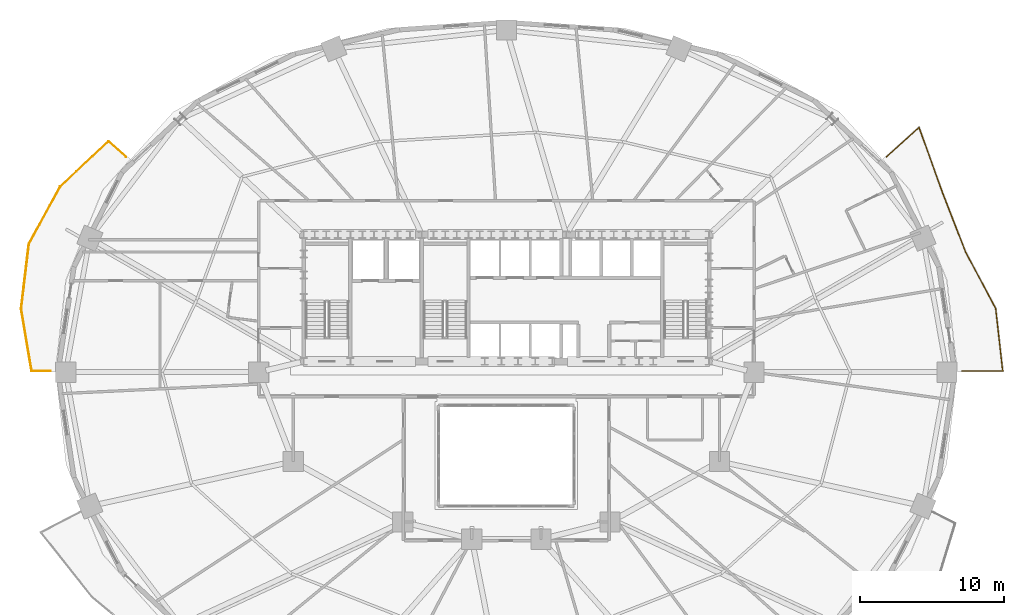
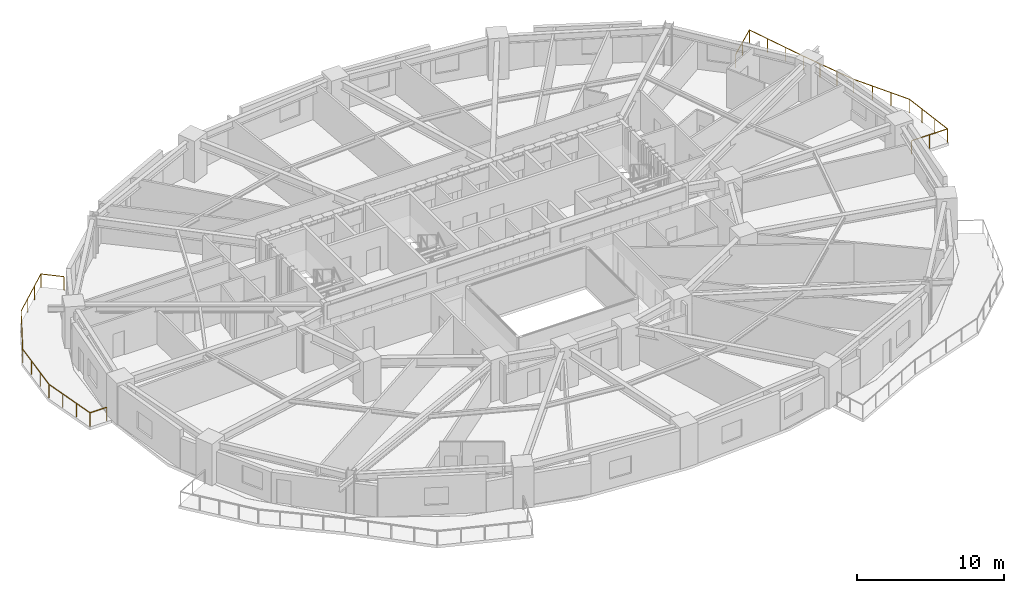
# One storey, part 17 of 17: 2 railings.
"""IFC4 building model written with IfcOpenShell, lengths in metres."""

from ifc_helpers import new_model, si_unit, direction, frame, origin, origin_2d, place, context, subcontext, project, spatial, rectangle, extrude, material, type_object, element, save


model = new_model("IFC4")

# Units and contexts
model_context = context("Model", 3, precision=1e-05, world=origin(), true_north=direction((0.0, 1.0)))
body_context = subcontext(model_context, "Body", "Model", "MODEL_VIEW")
ifc_project = project(units=[si_unit("LENGTHUNIT", "METRE"), si_unit("AREAUNIT", "SQUARE_METRE"), si_unit("VOLUMEUNIT", "CUBIC_METRE"), si_unit("PLANEANGLEUNIT", "RADIAN"), si_unit("MASSUNIT", "GRAM", prefix="KILO")], contexts=[model_context])

# Site, building, storey
site_placement = place(None, origin())
site = spatial("IfcSite", under=ifc_project, at=site_placement, CompositionType="ELEMENT")
building_placement = place(site_placement, origin())
building = spatial("IfcBuilding", under=site, at=building_placement, Name="Haldorwick Loom Tower", CompositionType="ELEMENT")
storey_placement = place(building_placement, frame((0.0, 0.0, 61.949951171875)))
storey = spatial("IfcBuildingStorey", under=building, at=storey_placement, Name="L16", CompositionType="ELEMENT", Elevation=61.949951171875)

# Railings
ifc_material = material(Name="Galvanized Steel CSA G40.21 350W", Category="steel")
railing_type = type_object("IfcRailingType", Name="ARC-RLG-BAL115", PredefinedType="BALUSTRADE", material=ifc_material)
railing_1_placement = place(storey_placement, frame((4.36083984375, 26.080078125, 0.0)))
element("IfcRailing", 1, at=railing_1_placement, inside=storey, type_object=railing_type, Name="L16 Outdoor Terrace Guardrail SLB-L16-BAL_WNW-1", PredefinedType="BALUSTRADE", context=body_context, shape_type="SweptSolid", body=[
    extrude(rectangle(XDim=0.048095703125, YDim=0.048095703125, at=origin_2d()), frame((0.0, 0.0, 1.1259765625), z_axis=(-1.0, 0.0, 0.0), x_axis=(0.0, -1.0, 0.0)), (0.0, 0.0, 1.0), 1.315673828125),
    extrude(rectangle(XDim=0.048095703125, YDim=0.048095703125, at=origin_2d()), frame((-1.315673828125, 0.0, 1.1259765625), z_axis=(-0.167012646777, 0.985954753433, 0.0), x_axis=(-0.985954753433, -0.167012646777, 0.0)), (0.0, 0.0, 1.0), 4.376708984375),
    extrude(rectangle(XDim=0.048095703125, YDim=0.048095703125, at=origin_2d()), frame((-2.046630859375, 4.315185546875, 1.1259765625), z_axis=(0.118178746417, 0.992992338286, 0.0), x_axis=(-0.992992338286, 0.118178746417, 0.0)), (0.0, 0.0, 1.0), 4.532470703125),
    extrude(rectangle(XDim=0.048095703125, YDim=0.048095703125, at=origin_2d()), frame((-1.510986328125, 8.81591796875, 1.1259765625), z_axis=(0.478746977459, 0.877952921046, 0.0), x_axis=(-0.877952921046, 0.478746977459, 0.0)), (0.0, 0.0, 1.0), 4.554931640625),
    extrude(rectangle(XDim=0.048095703125, YDim=0.048095703125, at=origin_2d()), frame((0.669677734375, 12.81494140625, 1.1259765625), z_axis=(0.731566348196, 0.681770253228, 0.0), x_axis=(-0.681770253228, 0.731566348196, 0.0)), (0.0, 0.0, 1.0), 4.589111328125),
    extrude(rectangle(XDim=0.048095703125, YDim=0.048095703125, at=origin_2d()), frame((4.02685546875, 15.943603515625, 1.1259765625), z_axis=(0.748217378369, -0.663453656789, 0.0), x_axis=(0.663453656789, 0.748217378369, 0.0)), (0.0, 0.0, 1.0), 1.61572265625),
    extrude(rectangle(XDim=0.0419921875, YDim=0.0419921875, at=origin_2d()), origin(), (0.0, 0.0, 1.0), 1.101806640625),
    extrude(rectangle(XDim=0.0419921875, YDim=0.0419921875, at=origin_2d()), frame((-1.315673828125, 0.0, 0.0)), (0.0, 0.0, 1.0), 1.101806640625),
    extrude(rectangle(XDim=0.0419921875, YDim=0.0419921875, at=origin_2d()), frame((-1.559326171875, 1.4384765625, 0.0)), (0.0, 0.0, 1.0), 1.101806640625),
    extrude(rectangle(XDim=0.0419921875, YDim=0.0419921875, at=origin_2d()), frame((-1.802978515625, 2.876708984375, 0.0)), (0.0, 0.0, 1.0), 1.101806640625),
    extrude(rectangle(XDim=0.0419921875, YDim=0.0419921875, at=origin_2d()), frame((-2.046630859375, 4.315185546875, 0.0)), (0.0, 0.0, 1.0), 1.101806640625),
    extrude(rectangle(XDim=0.0419921875, YDim=0.0419921875, at=origin_2d()), frame((-1.8681640625, 5.8154296875, 0.0)), (0.0, 0.0, 1.0), 1.101806640625),
    extrude(rectangle(XDim=0.0419921875, YDim=0.0419921875, at=origin_2d()), frame((-1.689453125, 7.315673828125, 0.0)), (0.0, 0.0, 1.0), 1.101806640625),
    extrude(rectangle(XDim=0.0419921875, YDim=0.0419921875, at=origin_2d()), frame((-1.510986328125, 8.81591796875, 0.0)), (0.0, 0.0, 1.0), 1.101806640625),
    extrude(rectangle(XDim=0.0419921875, YDim=0.0419921875, at=origin_2d()), frame((-0.7841796875, 10.14892578125, 0.0)), (0.0, 0.0, 1.0), 1.101806640625),
    extrude(rectangle(XDim=0.0419921875, YDim=0.0419921875, at=origin_2d()), frame((-0.05712890625, 11.48193359375, 0.0)), (0.0, 0.0, 1.0), 1.101806640625),
    extrude(rectangle(XDim=0.0419921875, YDim=0.0419921875, at=origin_2d()), frame((0.669677734375, 12.81494140625, 0.0)), (0.0, 0.0, 1.0), 1.101806640625),
    extrude(rectangle(XDim=0.0419921875, YDim=0.0419921875, at=origin_2d()), frame((1.788818359375, 13.85791015625, 0.0)), (0.0, 0.0, 1.0), 1.101806640625),
    extrude(rectangle(XDim=0.0419921875, YDim=0.0419921875, at=origin_2d()), frame((2.90771484375, 14.900634765625, 0.0)), (0.0, 0.0, 1.0), 1.101806640625),
    extrude(rectangle(XDim=0.0419921875, YDim=0.0419921875, at=origin_2d()), frame((4.02685546875, 15.943603515625, 0.0)), (0.0, 0.0, 1.0), 1.101806640625),
    extrude(rectangle(XDim=0.0419921875, YDim=0.0419921875, at=origin_2d()), frame((5.23583984375, 14.87158203125, 0.0)), (0.0, 0.0, 1.0), 1.101806640625),
])
railing_2_placement = place(storey_placement, frame((62.400390625, 40.954833984375, 0.0)))
element("IfcRailing", 2, at=railing_2_placement, inside=storey, type_object=railing_type, Name="L16 Outdoor Terrace Guardrail SLB-L16-BAL_ENE-1", PredefinedType="BALUSTRADE", context=body_context, shape_type="SweptSolid", body=[
    extrude(rectangle(XDim=0.048095703125, YDim=0.048095703125, at=origin_2d()), frame((0.0, 0.0, 1.1259765625), z_axis=(0.74176658268, 0.670658137071, 0.0), x_axis=(-0.670658137071, 0.74176658268, 0.0)), (0.0, 0.0, 1.0), 3.03173828125),
    extrude(rectangle(XDim=0.048095703125, YDim=0.048095703125, at=origin_2d()), frame((2.248779296875, 2.033203125, 1.1259765625), z_axis=(0.337840495156, -0.941203378571, 0.0), x_axis=(0.941203378571, 0.337840495156, 0.0)), (0.0, 0.0, 1.0), 4.800537109375),
    extrude(rectangle(XDim=0.048095703125, YDim=0.048095703125, at=origin_2d()), frame((3.87060546875, -2.485107421875, 1.1259765625), z_axis=(0.351123441588, -0.936329177569, 0.0), x_axis=(0.936329177569, 0.351123441588, 0.0)), (0.0, 0.0, 1.0), 0.002197265625),
    extrude(rectangle(XDim=0.048095703125, YDim=0.048095703125, at=origin_2d()), frame((3.871337890625, -2.487060546875, 1.1259765625), z_axis=(0.36271610955, -0.93189968552, 0.0), x_axis=(0.93189968552, 0.36271610955, 0.0)), (0.0, 0.0, 1.0), 4.409423828125),
    extrude(rectangle(XDim=0.048095703125, YDim=0.048095703125, at=origin_2d()), frame((5.470703125, -6.59619140625, 1.1259765625), z_axis=(0.415759760268, -0.909474475586, 0.0), x_axis=(0.909474475586, 0.415759760268, 0.0)), (0.0, 0.0, 1.0), 0.00927734375),
    extrude(rectangle(XDim=0.048095703125, YDim=0.048095703125, at=origin_2d()), frame((5.474609375, -6.604736328125, 1.1259765625), z_axis=(0.470166455798, -0.882577760791, 0.0), x_axis=(0.882577760791, 0.470166455798, 0.0)), (0.0, 0.0, 1.0), 4.447021484375),
    extrude(rectangle(XDim=0.048095703125, YDim=0.048095703125, at=origin_2d()), frame((7.5654296875, -10.529541015625, 1.1259765625), z_axis=(0.112220668286, -0.993683310522, 0.0), x_axis=(0.993683310522, 0.112220668286, 0.0)), (0.0, 0.0, 1.0), 4.372802734375),
    extrude(rectangle(XDim=0.048095703125, YDim=0.048095703125, at=origin_2d()), frame((8.05615234375, -14.874755859375, 1.1259765625), z_axis=(-1.0, 0.0, 0.0), x_axis=(0.0, -1.0, 0.0)), (0.0, 0.0, 1.0), 2.8173828125),
    extrude(rectangle(XDim=0.0419921875, YDim=0.0419921875, at=origin_2d()), origin(), (0.0, 0.0, 1.0), 1.101806640625),
    extrude(rectangle(XDim=0.0419921875, YDim=0.0419921875, at=origin_2d()), frame((1.12451171875, 1.0166015625, 0.0)), (0.0, 0.0, 1.0), 1.101806640625),
    extrude(rectangle(XDim=0.0419921875, YDim=0.0419921875, at=origin_2d()), frame((2.248779296875, 2.033203125, 0.0)), (0.0, 0.0, 1.0), 1.101806640625),
    extrude(rectangle(XDim=0.0419921875, YDim=0.0419921875, at=origin_2d()), frame((2.789306640625, 0.527099609375, 0.0)), (0.0, 0.0, 1.0), 1.101806640625),
    extrude(rectangle(XDim=0.0419921875, YDim=0.0419921875, at=origin_2d()), frame((3.330078125, -0.97900390625, 0.0)), (0.0, 0.0, 1.0), 1.101806640625),
    extrude(rectangle(XDim=0.0419921875, YDim=0.0419921875, at=origin_2d()), frame((3.87060546875, -2.485107421875, 0.0)), (0.0, 0.0, 1.0), 1.101806640625),
    extrude(rectangle(XDim=0.0419921875, YDim=0.0419921875, at=origin_2d()), frame((4.404541015625, -3.856689453125, 0.0)), (0.0, 0.0, 1.0), 1.101806640625),
    extrude(rectangle(XDim=0.0419921875, YDim=0.0419921875, at=origin_2d()), frame((4.9375, -5.2265625, 0.0)), (0.0, 0.0, 1.0), 1.101806640625),
    extrude(rectangle(XDim=0.0419921875, YDim=0.0419921875, at=origin_2d()), frame((5.470703125, -6.59619140625, 0.0)), (0.0, 0.0, 1.0), 1.101806640625),
    extrude(rectangle(XDim=0.0419921875, YDim=0.0419921875, at=origin_2d()), frame((6.171630859375, -7.9130859375, 0.0)), (0.0, 0.0, 1.0), 1.101806640625),
    extrude(rectangle(XDim=0.0419921875, YDim=0.0419921875, at=origin_2d()), frame((6.868408203125, -9.22119140625, 0.0)), (0.0, 0.0, 1.0), 1.101806640625),
    extrude(rectangle(XDim=0.0419921875, YDim=0.0419921875, at=origin_2d()), frame((7.5654296875, -10.529541015625, 0.0)), (0.0, 0.0, 1.0), 1.101806640625),
    extrude(rectangle(XDim=0.0419921875, YDim=0.0419921875, at=origin_2d()), frame((7.72900390625, -11.97802734375, 0.0)), (0.0, 0.0, 1.0), 1.101806640625),
    extrude(rectangle(XDim=0.0419921875, YDim=0.0419921875, at=origin_2d()), frame((7.892578125, -13.42626953125, 0.0)), (0.0, 0.0, 1.0), 1.101806640625),
    extrude(rectangle(XDim=0.0419921875, YDim=0.0419921875, at=origin_2d()), frame((8.05615234375, -14.874755859375, 0.0)), (0.0, 0.0, 1.0), 1.101806640625),
    extrude(rectangle(XDim=0.0419921875, YDim=0.0419921875, at=origin_2d()), frame((6.6474609375, -14.874755859375, 0.0)), (0.0, 0.0, 1.0), 1.101806640625),
    extrude(rectangle(XDim=0.0419921875, YDim=0.0419921875, at=origin_2d()), frame((5.23876953125, -14.874755859375, 0.0)), (0.0, 0.0, 1.0), 1.101806640625),
])

save(model, "model.ifc")
